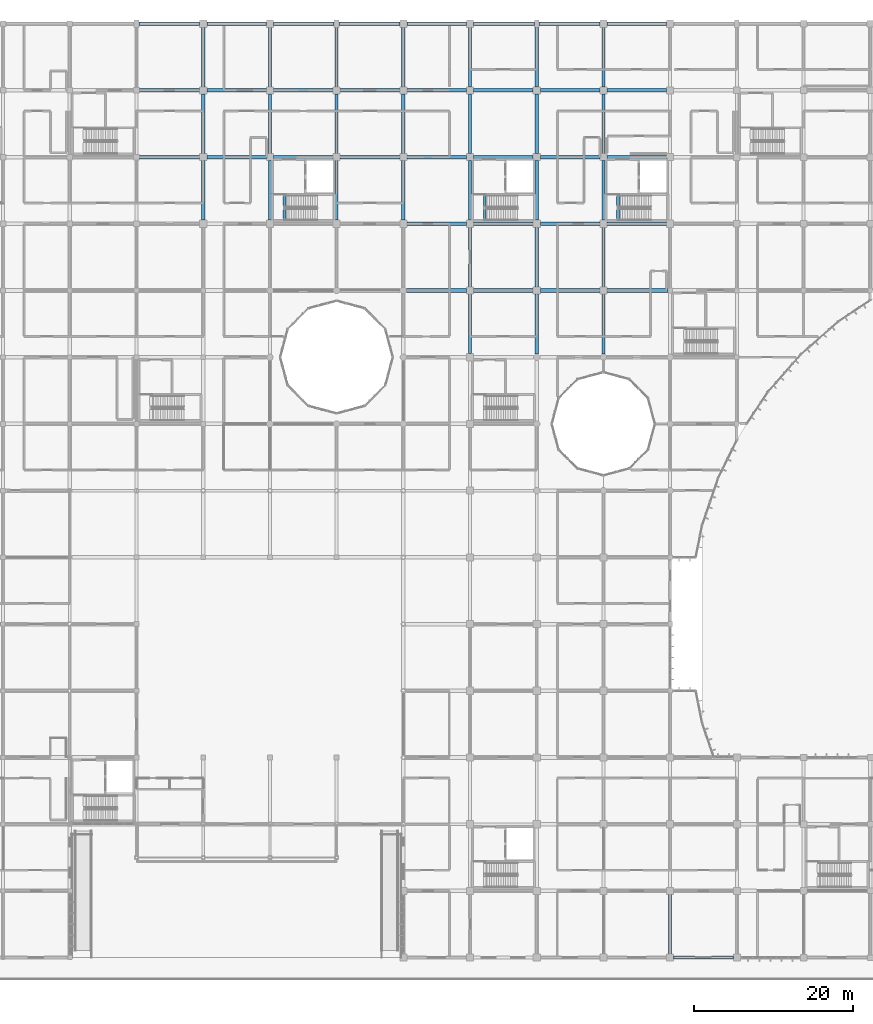
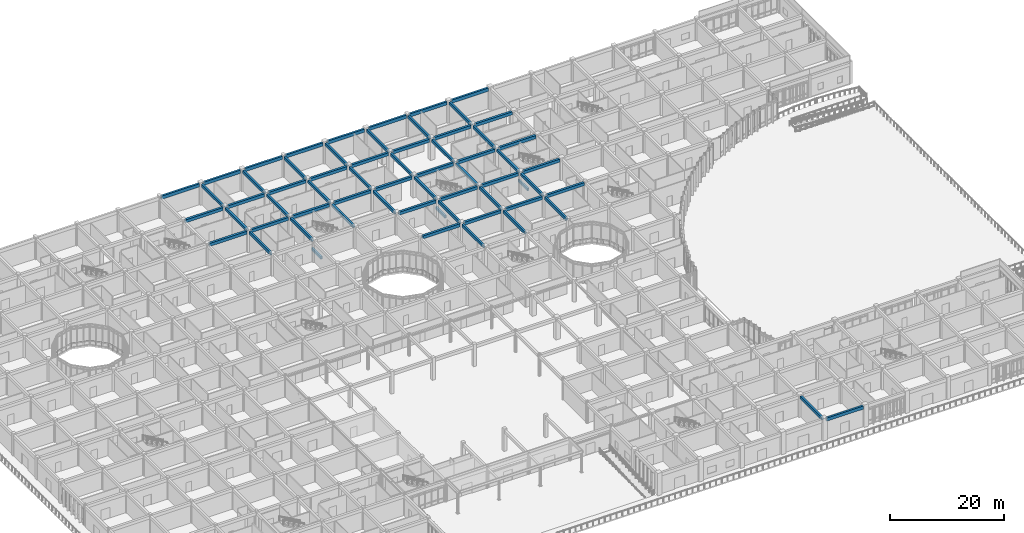
# One storey, part 46 of 138: 64 beams.
"""IFC4 building model written with IfcOpenShell, lengths in metres."""

from ifc_helpers import new_model, si_unit, direction, frame, origin, origin_2d, place, context, subcontext, project, spatial, rectangle, extrude, material, material_profile, profile_set, type_object, element, save


model = new_model("IFC4")

# Units and contexts
model_context = context("Model", 3, precision=1e-05, world=origin(), true_north=direction((0.0, 1.0)))
body_context = subcontext(model_context, "Body", "Model", "MODEL_VIEW")
ifc_project = project(units=[si_unit("LENGTHUNIT", "METRE"), si_unit("AREAUNIT", "SQUARE_METRE"), si_unit("VOLUMEUNIT", "CUBIC_METRE"), si_unit("PLANEANGLEUNIT", "RADIAN"), si_unit("MASSUNIT", "GRAM", prefix="KILO")], contexts=[model_context])

# Site, building, storey
site_placement = place(None, origin())
site = spatial("IfcSite", under=ifc_project, at=site_placement, CompositionType="ELEMENT")
building_placement = place(site_placement, origin())
building = spatial("IfcBuilding", under=site, at=building_placement, Name="Bramfleet General Hospital", CompositionType="ELEMENT")
storey_placement = place(building_placement, origin())
storey = spatial("IfcBuildingStorey", under=building, at=storey_placement, Name="L00", CompositionType="ELEMENT", Elevation=0.0)

# Beams
ifc_material = material(Name="Concrete C35/45", Category="concrete")
ifc_material_profile_1 = material_profile(ifc_material, rectangle(XDim=0.35009765625, YDim=0.550048828125, at=origin_2d()), Name="RC BM 550x350")
ifc_profile_set_1 = profile_set([ifc_material_profile_1], Name="Concrete C35/45")
beam_type_1 = type_object("IfcBeamType", Name="BM-RC550", PredefinedType="BEAM", material=ifc_profile_set_1)
for number, where, z_axis, x_axis, name in (
    (1, (102.639892578125, 92.780029296875, -0.27490234375), (0.0, 1.0, 0.0), (-1.0, 0.0, 0.0), "L00 C4 Stairwell Trimmer Beam"),
    (2, (77.43994140625, 92.780029296875, -0.27490234375), (0.0, 1.0, 0.0), (-1.0, 0.0, 0.0), "L00 C5 Stairwell Trimmer Beam"),
    (3, (119.43994140625, 92.780029296875, -0.27490234375), (0.0, 1.0, 0.0), (-1.0, 0.0, 0.0), "L00 C6 Stairwell Trimmer Beam"),
):
    element("IfcBeam", number, at=place(storey_placement, frame(where, z_axis=z_axis, x_axis=x_axis)), inside=storey, type_object=beam_type_1, Name=name, PredefinedType="BEAM", context=body_context, shape_type="SweptSolid", body=[
        extrude(rectangle(XDim=0.35009765625, YDim=0.550048828125, at=origin_2d()), origin(), (0.0, 0.0, 1.0), 3.320068359375),
    ])
ifc_material_profile_2 = material_profile(ifc_material, rectangle(XDim=0.39990234375, YDim=0.60009765625, at=origin_2d()), Name="RC BM 600x400")
ifc_profile_set_2 = profile_set([ifc_material_profile_2], Name="Concrete C35/45")
beam_type_2 = type_object("IfcBeamType", Name="BM-RC600", PredefinedType="BEAM", material=ifc_profile_set_2)
for number, where, z_axis, x_axis, name in (
    (4, (67.199951171875, 92.85009765625, 4.199951171875), (0.0, 1.0, 0.0), (-1.0, 0.0, 0.0), "L00 Grid Beam Y 08-11"),
    (5, (67.199951171875, 101.25, 4.199951171875), (0.0, 1.0, 0.0), (-1.0, 0.0, 0.0), "L00 Grid Beam Y 08-12"),
    (6, (67.199951171875, 109.64990234375, 4.199951171875), (0.0, 1.0, 0.0), (-1.0, 0.0, 0.0), "L00 Grid Beam Y 08-13"),
    (7, (75.60009765625, 92.85009765625, 4.199951171875), (0.0, 1.0, 0.0), (-1.0, 0.0, 0.0), "L00 Grid Beam Y 09-11"),
    (8, (75.60009765625, 101.25, 4.199951171875), (0.0, 1.0, 0.0), (-1.0, 0.0, 0.0), "L00 Grid Beam Y 09-12"),
    (9, (75.60009765625, 109.64990234375, 4.199951171875), (0.0, 1.0, 0.0), (-1.0, 0.0, 0.0), "L00 Grid Beam Y 09-13"),
    (10, (84.0, 92.85009765625, 4.199951171875), (0.0, 1.0, 0.0), (-1.0, 0.0, 0.0), "L00 Grid Beam Y 10-11"),
    (11, (84.0, 101.25, 4.199951171875), (0.0, 1.0, 0.0), (-1.0, 0.0, 0.0), "L00 Grid Beam Y 10-12"),
    (12, (84.0, 109.64990234375, 4.199951171875), (0.0, 1.0, 0.0), (-1.0, 0.0, 0.0), "L00 Grid Beam Y 10-13"),
    (13, (92.39990234375, 92.85009765625, 4.199951171875), (0.0, 1.0, 0.0), (-1.0, 0.0, 0.0), "L00 Grid Beam Y 11-11"),
    (14, (92.39990234375, 101.25, 4.199951171875), (0.0, 1.0, 0.0), (-1.0, 0.0, 0.0), "L00 Grid Beam Y 11-12"),
    (15, (92.39990234375, 109.64990234375, 4.199951171875), (0.0, 1.0, 0.0), (-1.0, 0.0, 0.0), "L00 Grid Beam Y 11-13"),
    (16, (100.800048828125, 76.050048828125, 4.199951171875), (0.0, 1.0, 0.0), (-1.0, 0.0, 0.0), "L00 Grid Beam Y 12-09"),
    (17, (100.800048828125, 84.449951171875, 4.199951171875), (0.0, 1.0, 0.0), (-1.0, 0.0, 0.0), "L00 Grid Beam Y 12-10"),
    (18, (100.800048828125, 92.85009765625, 4.199951171875), (0.0, 1.0, 0.0), (-1.0, 0.0, 0.0), "L00 Grid Beam Y 12-11"),
    (19, (100.800048828125, 101.25, 4.199951171875), (0.0, 1.0, 0.0), (-1.0, 0.0, 0.0), "L00 Grid Beam Y 12-12"),
    (20, (100.800048828125, 109.64990234375, 4.199951171875), (0.0, 1.0, 0.0), (-1.0, 0.0, 0.0), "L00 Grid Beam Y 12-13"),
):
    element("IfcBeam", number, at=place(storey_placement, frame(where, z_axis=z_axis, x_axis=x_axis)), inside=storey, type_object=beam_type_2, Name=name, PredefinedType="BEAM", context=body_context, shape_type="SweptSolid", body=[
        extrude(rectangle(XDim=0.39990234375, YDim=0.60009765625, at=origin_2d()), origin(), (0.0, 0.0, 1.0), 7.5),
    ])
beam_1_placement = place(storey_placement, frame((109.199951171875, 76.0, 4.199951171875), z_axis=(0.0, 1.0, 0.0), x_axis=(-1.0, 0.0, 0.0)))
element("IfcBeam", 21, at=beam_1_placement, inside=storey, type_object=beam_type_2, Name="L00 Grid Beam Y 13-09", PredefinedType="BEAM", context=body_context, shape_type="SweptSolid", body=[
    extrude(rectangle(XDim=0.39990234375, YDim=0.60009765625, at=origin_2d()), origin(), (0.0, 0.0, 1.0), 7.550048828125),
])
for number, where, z_axis, x_axis, name in (
    (22, (109.199951171875, 84.449951171875, 4.199951171875), (0.0, 1.0, 0.0), (-1.0, 0.0, 0.0), "L00 Grid Beam Y 13-10"),
    (23, (109.199951171875, 92.85009765625, 4.199951171875), (0.0, 1.0, 0.0), (-1.0, 0.0, 0.0), "L00 Grid Beam Y 13-11"),
    (24, (109.199951171875, 101.25, 4.199951171875), (0.0, 1.0, 0.0), (-1.0, 0.0, 0.0), "L00 Grid Beam Y 13-12"),
    (25, (109.199951171875, 109.64990234375, 4.199951171875), (0.0, 1.0, 0.0), (-1.0, 0.0, 0.0), "L00 Grid Beam Y 13-13"),
):
    element("IfcBeam", number, at=place(storey_placement, frame(where, z_axis=z_axis, x_axis=x_axis)), inside=storey, type_object=beam_type_2, Name=name, PredefinedType="BEAM", context=body_context, shape_type="SweptSolid", body=[
        extrude(rectangle(XDim=0.39990234375, YDim=0.60009765625, at=origin_2d()), origin(), (0.0, 0.0, 1.0), 7.5),
    ])
beam_2_placement = place(storey_placement, frame((117.60009765625, 76.0, 4.199951171875), z_axis=(0.0, 1.0, 0.0), x_axis=(-1.0, 0.0, 0.0)))
element("IfcBeam", 26, at=beam_2_placement, inside=storey, type_object=beam_type_2, Name="L00 Grid Beam Y 14-09", PredefinedType="BEAM", context=body_context, shape_type="SweptSolid", body=[
    extrude(rectangle(XDim=0.39990234375, YDim=0.60009765625, at=origin_2d()), origin(), (0.0, 0.0, 1.0), 7.550048828125),
])
for number, where, z_axis, x_axis, name in (
    (27, (117.60009765625, 84.449951171875, 4.199951171875), (0.0, 1.0, 0.0), (-1.0, 0.0, 0.0), "L00 Grid Beam Y 14-10"),
    (28, (117.60009765625, 92.85009765625, 4.199951171875), (0.0, 1.0, 0.0), (-1.0, 0.0, 0.0), "L00 Grid Beam Y 14-11"),
    (29, (117.60009765625, 101.25, 4.199951171875), (0.0, 1.0, 0.0), (-1.0, 0.0, 0.0), "L00 Grid Beam Y 14-12"),
    (30, (117.60009765625, 109.64990234375, 4.199951171875), (0.0, 1.0, 0.0), (-1.0, 0.0, 0.0), "L00 Grid Beam Y 14-13"),
    (31, (126.0, 0.449951171875, 4.199951171875), (0.0, 1.0, 0.0), (-1.0, 0.0, 0.0), "L00 Grid Beam Y 15-00"),
):
    element("IfcBeam", number, at=place(storey_placement, frame(where, z_axis=z_axis, x_axis=x_axis)), inside=storey, type_object=beam_type_2, Name=name, PredefinedType="BEAM", context=body_context, shape_type="SweptSolid", body=[
        extrude(rectangle(XDim=0.39990234375, YDim=0.60009765625, at=origin_2d()), origin(), (0.0, 0.0, 1.0), 7.5),
    ])
ifc_material_profile_3 = material_profile(ifc_material, rectangle(XDim=0.449951171875, YDim=0.64990234375, at=origin_2d()), Name="RC BM 650x450")
ifc_profile_set_3 = profile_set([ifc_material_profile_3], Name="Concrete C35/45")
beam_type_3 = type_object("IfcBeamType", Name="BM-RC650", PredefinedType="BEAM", material=ifc_profile_set_3)
for number, where, z_axis, x_axis, name in (
    (32, (59.14990234375, 100.800048828125, 4.175048828125), (1.0, 0.0, 0.0), (0.0, 1.0, 0.0), "L00 Grid Beam X 07-12"),
    (33, (59.14990234375, 109.199951171875, 4.175048828125), (1.0, 0.0, 0.0), (0.0, 1.0, 0.0), "L00 Grid Beam X 07-13"),
):
    element("IfcBeam", number, at=place(storey_placement, frame(where, z_axis=z_axis, x_axis=x_axis)), inside=storey, type_object=beam_type_3, Name=name, PredefinedType="BEAM", context=body_context, shape_type="SweptSolid", body=[
        extrude(rectangle(XDim=0.449951171875, YDim=0.64990234375, at=origin_2d()), origin(), (0.0, 0.0, 1.0), 7.60009765625),
    ])
for number, where, z_axis, x_axis, name in (
    (34, (67.64990234375, 100.800048828125, 4.175048828125), (1.0, 0.0, 0.0), (0.0, 1.0, 0.0), "L00 Grid Beam X 08-12"),
    (35, (67.64990234375, 109.199951171875, 4.175048828125), (1.0, 0.0, 0.0), (0.0, 1.0, 0.0), "L00 Grid Beam X 08-13"),
    (36, (76.050048828125, 100.800048828125, 4.175048828125), (1.0, 0.0, 0.0), (0.0, 1.0, 0.0), "L00 Grid Beam X 09-12"),
    (37, (76.050048828125, 109.199951171875, 4.175048828125), (1.0, 0.0, 0.0), (0.0, 1.0, 0.0), "L00 Grid Beam X 09-13"),
    (38, (84.449951171875, 100.800048828125, 4.175048828125), (1.0, 0.0, 0.0), (0.0, 1.0, 0.0), "L00 Grid Beam X 10-12"),
    (39, (84.449951171875, 109.199951171875, 4.175048828125), (1.0, 0.0, 0.0), (0.0, 1.0, 0.0), "L00 Grid Beam X 10-13"),
):
    element("IfcBeam", number, at=place(storey_placement, frame(where, z_axis=z_axis, x_axis=x_axis)), inside=storey, type_object=beam_type_3, Name=name, PredefinedType="BEAM", context=body_context, shape_type="SweptSolid", body=[
        extrude(rectangle(XDim=0.449951171875, YDim=0.64990234375, at=origin_2d()), origin(), (0.0, 0.0, 1.0), 7.5),
    ])
beam_3_placement = place(storey_placement, frame((92.800048828125, 84.0, 4.175048828125), z_axis=(1.0, 0.0, 0.0), x_axis=(0.0, 1.0, 0.0)))
element("IfcBeam", 40, at=beam_3_placement, inside=storey, type_object=beam_type_3, Name="L00 Grid Beam X 11-10", PredefinedType="BEAM", context=body_context, shape_type="SweptSolid", body=[
    extrude(rectangle(XDim=0.449951171875, YDim=0.64990234375, at=origin_2d()), origin(), (0.0, 0.0, 1.0), 7.550048828125),
])
for number, where, z_axis, x_axis, name in (
    (41, (92.85009765625, 92.39990234375, 4.175048828125), (1.0, 0.0, 0.0), (0.0, 1.0, 0.0), "L00 Grid Beam X 11-11"),
    (42, (92.85009765625, 100.800048828125, 4.175048828125), (1.0, 0.0, 0.0), (0.0, 1.0, 0.0), "L00 Grid Beam X 11-12"),
    (43, (92.85009765625, 109.199951171875, 4.175048828125), (1.0, 0.0, 0.0), (0.0, 1.0, 0.0), "L00 Grid Beam X 11-13"),
    (44, (101.25, 84.0, 4.175048828125), (1.0, 0.0, 0.0), (0.0, 1.0, 0.0), "L00 Grid Beam X 12-10"),
    (45, (101.25, 92.39990234375, 4.175048828125), (1.0, 0.0, 0.0), (0.0, 1.0, 0.0), "L00 Grid Beam X 12-11"),
    (46, (101.25, 100.800048828125, 4.175048828125), (1.0, 0.0, 0.0), (0.0, 1.0, 0.0), "L00 Grid Beam X 12-12"),
    (47, (101.25, 109.199951171875, 4.175048828125), (1.0, 0.0, 0.0), (0.0, 1.0, 0.0), "L00 Grid Beam X 12-13"),
    (48, (109.64990234375, 84.0, 4.175048828125), (1.0, 0.0, 0.0), (0.0, 1.0, 0.0), "L00 Grid Beam X 13-10"),
    (49, (109.64990234375, 92.39990234375, 4.175048828125), (1.0, 0.0, 0.0), (0.0, 1.0, 0.0), "L00 Grid Beam X 13-11"),
    (50, (109.64990234375, 100.800048828125, 4.175048828125), (1.0, 0.0, 0.0), (0.0, 1.0, 0.0), "L00 Grid Beam X 13-12"),
    (51, (109.64990234375, 109.199951171875, 4.175048828125), (1.0, 0.0, 0.0), (0.0, 1.0, 0.0), "L00 Grid Beam X 13-13"),
):
    element("IfcBeam", number, at=place(storey_placement, frame(where, z_axis=z_axis, x_axis=x_axis)), inside=storey, type_object=beam_type_3, Name=name, PredefinedType="BEAM", context=body_context, shape_type="SweptSolid", body=[
        extrude(rectangle(XDim=0.449951171875, YDim=0.64990234375, at=origin_2d()), origin(), (0.0, 0.0, 1.0), 7.5),
    ])
beam_4_placement = place(storey_placement, frame((118.050048828125, 84.0, 4.175048828125), z_axis=(1.0, 0.0, 0.0), x_axis=(0.0, 1.0, 0.0)))
element("IfcBeam", 52, at=beam_4_placement, inside=storey, type_object=beam_type_3, Name="L00 Grid Beam X 14-10", PredefinedType="BEAM", context=body_context, shape_type="SweptSolid", body=[
    extrude(rectangle(XDim=0.449951171875, YDim=0.64990234375, at=origin_2d()), origin(), (0.0, 0.0, 1.0), 7.64990234375),
])
for number, where, z_axis, x_axis, name in (
    (53, (118.050048828125, 92.39990234375, 4.175048828125), (1.0, 0.0, 0.0), (0.0, 1.0, 0.0), "L00 Grid Beam X 14-11"),
    (54, (118.050048828125, 100.800048828125, 4.175048828125), (1.0, 0.0, 0.0), (0.0, 1.0, 0.0), "L00 Grid Beam X 14-12"),
    (55, (118.050048828125, 109.199951171875, 4.175048828125), (1.0, 0.0, 0.0), (0.0, 1.0, 0.0), "L00 Grid Beam X 14-13"),
):
    element("IfcBeam", number, at=place(storey_placement, frame(where, z_axis=z_axis, x_axis=x_axis)), inside=storey, type_object=beam_type_3, Name=name, PredefinedType="BEAM", context=body_context, shape_type="SweptSolid", body=[
        extrude(rectangle(XDim=0.449951171875, YDim=0.64990234375, at=origin_2d()), origin(), (0.0, 0.0, 1.0), 7.5),
    ])
ifc_material_profile_4 = material_profile(ifc_material, rectangle(XDim=0.39990234375, YDim=0.699951171875, at=origin_2d()), Name="RC SP 700x400")
ifc_profile_set_4 = profile_set([ifc_material_profile_4], Name="Concrete C35/45")
beam_type_4 = type_object("IfcBeamType", Name="BM-SP700", PredefinedType="SPANDREL", material=ifc_profile_set_4)
beam_5_placement = place(storey_placement, frame((59.10009765625, 117.60009765625, 4.14990234375), z_axis=(1.0, 0.0, 0.0), x_axis=(0.0, 1.0, 0.0)))
element("IfcBeam", 56, at=beam_5_placement, inside=storey, type_object=beam_type_4, Name="L00 Grid Beam X 07-14", PredefinedType="SPANDREL", context=body_context, shape_type="SweptSolid", body=[
    extrude(rectangle(XDim=0.39990234375, YDim=0.699951171875, at=origin_2d()), origin(), (0.0, 0.0, 1.0), 7.64990234375),
])
beam_6_placement = place(storey_placement, frame((67.64990234375, 117.60009765625, 4.14990234375), z_axis=(1.0, 0.0, 0.0), x_axis=(0.0, 1.0, 0.0)))
element("IfcBeam", 57, at=beam_6_placement, inside=storey, type_object=beam_type_4, Name="L00 Grid Beam X 08-14", PredefinedType="SPANDREL", context=body_context, shape_type="SweptSolid", body=[
    extrude(rectangle(XDim=0.39990234375, YDim=0.699951171875, at=origin_2d()), origin(), (0.0, 0.0, 1.0), 7.5),
])
for number, where, z_axis, x_axis, name in (
    (58, (76.050048828125, 117.60009765625, 4.14990234375), (1.0, 0.0, 0.0), (0.0, 1.0, 0.0), "L00 Grid Beam X 09-14"),
    (59, (84.300048828125, 117.60009765625, 4.14990234375), (1.0, 0.0, 0.0), (0.0, 1.0, 0.0), "L00 Grid Beam X 10-14"),
):
    element("IfcBeam", number, at=place(storey_placement, frame(where, z_axis=z_axis, x_axis=x_axis)), inside=storey, type_object=beam_type_4, Name=name, PredefinedType="SPANDREL", context=body_context, shape_type="SweptSolid", body=[
        extrude(rectangle(XDim=0.39990234375, YDim=0.699951171875, at=origin_2d()), origin(), (0.0, 0.0, 1.0), 7.64990234375),
    ])
beam_7_placement = place(storey_placement, frame((92.85009765625, 117.60009765625, 4.14990234375), z_axis=(1.0, 0.0, 0.0), x_axis=(0.0, 1.0, 0.0)))
element("IfcBeam", 60, at=beam_7_placement, inside=storey, type_object=beam_type_4, Name="L00 Grid Beam X 11-14", PredefinedType="SPANDREL", context=body_context, shape_type="SweptSolid", body=[
    extrude(rectangle(XDim=0.39990234375, YDim=0.699951171875, at=origin_2d()), origin(), (0.0, 0.0, 1.0), 7.5),
])
for number, where, z_axis, x_axis, name in (
    (61, (101.25, 117.60009765625, 4.14990234375), (1.0, 0.0, 0.0), (0.0, 1.0, 0.0), "L00 Grid Beam X 12-14"),
    (62, (109.5, 117.60009765625, 4.14990234375), (1.0, 0.0, 0.0), (0.0, 1.0, 0.0), "L00 Grid Beam X 13-14"),
):
    element("IfcBeam", number, at=place(storey_placement, frame(where, z_axis=z_axis, x_axis=x_axis)), inside=storey, type_object=beam_type_4, Name=name, PredefinedType="SPANDREL", context=body_context, shape_type="SweptSolid", body=[
        extrude(rectangle(XDim=0.39990234375, YDim=0.699951171875, at=origin_2d()), origin(), (0.0, 0.0, 1.0), 7.64990234375),
    ])
for number, where, z_axis, x_axis, name in (
    (63, (118.050048828125, 117.60009765625, 4.14990234375), (1.0, 0.0, 0.0), (0.0, 1.0, 0.0), "L00 Grid Beam X 14-14"),
    (64, (126.449951171875, 0.0, 4.14990234375), (1.0, 0.0, 0.0), (0.0, 1.0, 0.0), "L00 Grid Beam X 15-00"),
):
    element("IfcBeam", number, at=place(storey_placement, frame(where, z_axis=z_axis, x_axis=x_axis)), inside=storey, type_object=beam_type_4, Name=name, PredefinedType="SPANDREL", context=body_context, shape_type="SweptSolid", body=[
        extrude(rectangle(XDim=0.39990234375, YDim=0.699951171875, at=origin_2d()), origin(), (0.0, 0.0, 1.0), 7.5),
    ])

save(model, "model.ifc")
